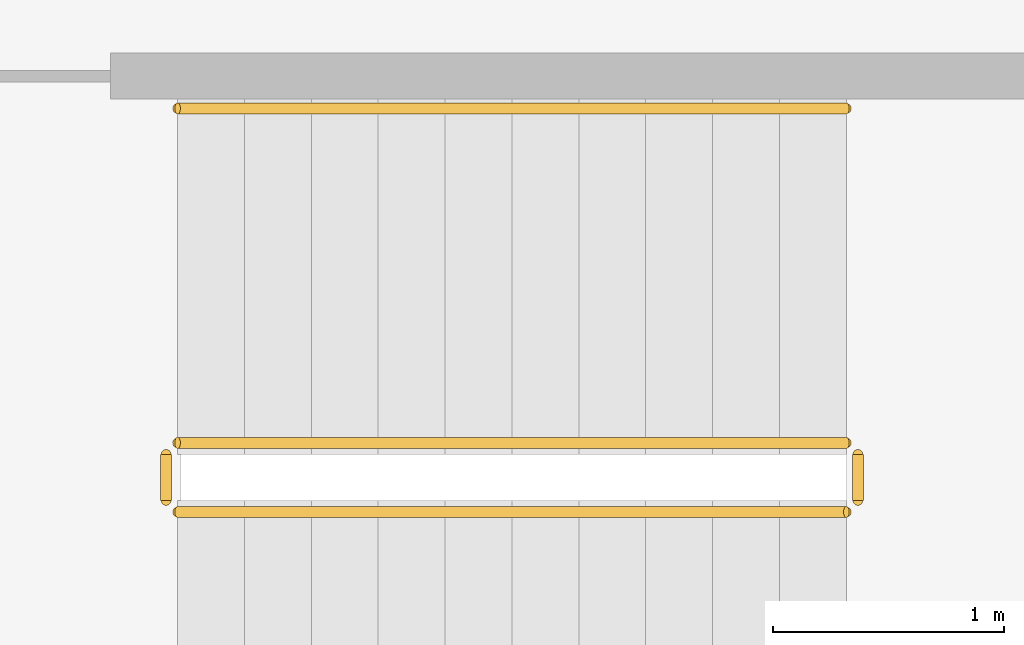
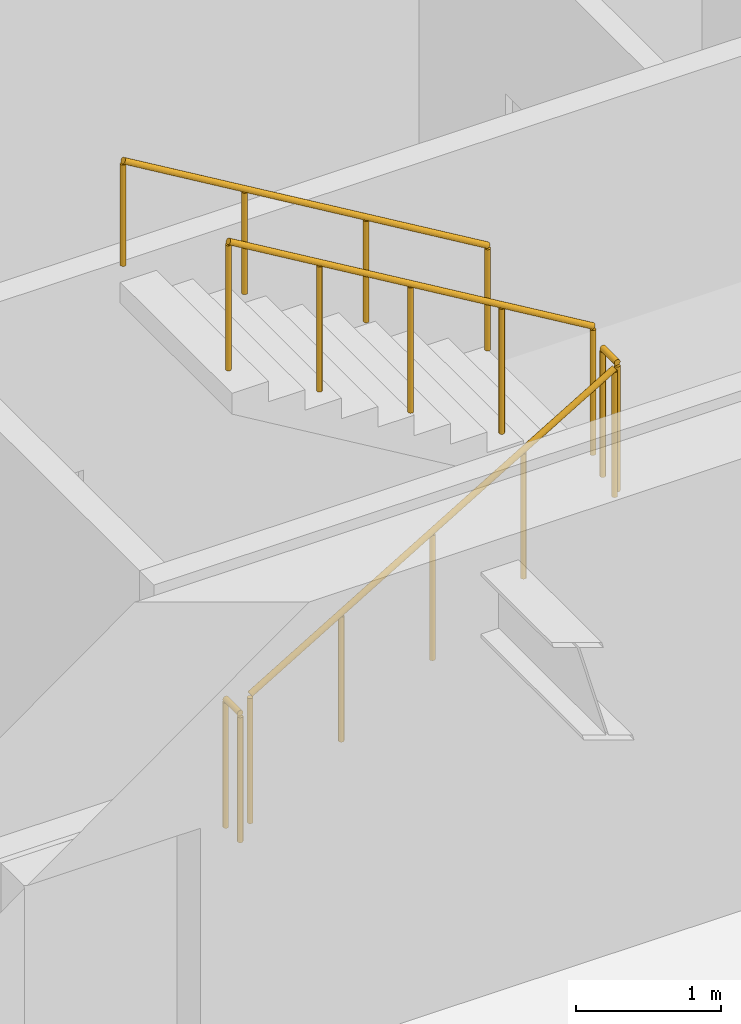
# One storey, part 21 of 22: 5 railings.
"""IFC4 building model written with IfcOpenShell, lengths in metres."""

from ifc_helpers import new_model, si_unit, direction, frame, origin, origin_2d, place, context, subcontext, project, spatial, circle, extrude, material, type_object, element, save


model = new_model("IFC4")

# Units and contexts
model_context = context("Model", 3, precision=1e-05, world=origin(), true_north=direction((0.0, 1.0)))
body_context = subcontext(model_context, "Body", "Model", "MODEL_VIEW")
ifc_project = project(units=[si_unit("LENGTHUNIT", "METRE"), si_unit("AREAUNIT", "SQUARE_METRE"), si_unit("VOLUMEUNIT", "CUBIC_METRE"), si_unit("PLANEANGLEUNIT", "RADIAN"), si_unit("MASSUNIT", "GRAM", prefix="KILO")], contexts=[model_context])

# Site, building, storey
site_placement = place(None, origin())
site = spatial("IfcSite", under=ifc_project, at=site_placement, CompositionType="ELEMENT")
building_placement = place(site_placement, origin())
building = spatial("IfcBuilding", under=site, at=building_placement, Name="Putna Gate Headquarters", CompositionType="ELEMENT")
storey_placement = place(building_placement, frame((0.0, 0.0, 159.39990234375)))
storey = spatial("IfcBuildingStorey", under=building, at=storey_placement, Name="L39", CompositionType="ELEMENT", Elevation=159.39990234375)

# Railings
ifc_material_1 = material(Name="Powder-coated steel stair guardrail", Category="steel")
railing_type_1 = type_object("IfcRailingType", Name="RAIL-STAIR-GUARD-1100", PredefinedType="GUARDRAIL", material=ifc_material_1)
railing_1_placement = place(storey_placement, frame((57.89990234375, 21.10009765625, 0.1728515625)))
element("IfcRailing", 1, at=railing_1_placement, inside=storey, type_object=railing_type_1, Name="L39 ST2 stair guard 1", PredefinedType="GUARDRAIL", context=body_context, shape_type="SweptSolid", body=[
    extrude(circle(Radius=0.02392578125, at=origin_2d()), frame((0.0, 0.0, 1.076171875), z_axis=(0.859160404282, 0.0, 0.51170636083), x_axis=(0.0, 1.0, 0.0)), (0.0, 0.0, 1.0), 3.37548828125),
    extrude(circle(Radius=0.02099609375, at=origin_2d()), origin(), (0.0, 0.0, 1.0), 1.052001953125),
    extrude(circle(Radius=0.02099609375, at=origin_2d()), frame((0.72509765625, 0.0, 0.431884765625)), (0.0, 0.0, 1.0), 1.052001953125),
    extrude(circle(Radius=0.02099609375, at=origin_2d()), frame((1.4501953125, 0.0, 0.86376953125)), (0.0, 0.0, 1.0), 1.052001953125),
    extrude(circle(Radius=0.02099609375, at=origin_2d()), frame((2.175048828125, 0.0, 1.29541015625)), (0.0, 0.0, 1.0), 1.052001953125),
    extrude(circle(Radius=0.02099609375, at=origin_2d()), frame((2.900146484375, 0.0, 1.727294921875)), (0.0, 0.0, 1.0), 1.052001953125),
])
railing_2_placement = place(storey_placement, frame((60.85009765625, 21.14990234375, 1.900146484375)))
element("IfcRailing", 2, at=railing_2_placement, inside=storey, type_object=railing_type_1, Name="L39 ST2 stair guard 2", PredefinedType="GUARDRAIL", context=body_context, shape_type="SweptSolid", body=[
    extrude(circle(Radius=0.02392578125, at=origin_2d()), frame((0.0, 0.0, 1.076171875), z_axis=(0.0, 1.0, 0.0), x_axis=(-1.0, 0.0, 0.0)), (0.0, 0.0, 1.0), 0.2001953125),
    extrude(circle(Radius=0.02099609375, at=origin_2d()), origin(), (0.0, 0.0, 1.0), 1.052001953125),
    extrude(circle(Radius=0.02099609375, at=origin_2d()), frame((0.0, 0.2001953125, 0.0)), (0.0, 0.0, 1.0), 1.052001953125),
])
railing_3_placement = place(storey_placement, frame((60.800048828125, 21.39990234375, 2.07275390625)))
element("IfcRailing", 3, at=railing_3_placement, inside=storey, type_object=railing_type_1, Name="L39 ST2 stair guard 3", PredefinedType="GUARDRAIL", context=body_context, shape_type="SweptSolid", body=[
    extrude(circle(Radius=0.02392578125, at=origin_2d()), frame((0.0, 0.0, 1.076171875), z_axis=(-0.859160404282, 0.0, 0.51170636083), x_axis=(0.0, -1.0, 0.0)), (0.0, 0.0, 1.0), 3.37548828125),
    extrude(circle(Radius=0.02099609375, at=origin_2d()), origin(), (0.0, 0.0, 1.0), 1.052001953125),
    extrude(circle(Radius=0.02099609375, at=origin_2d()), frame((-0.72509765625, 0.0, 0.431884765625)), (0.0, 0.0, 1.0), 1.052001953125),
    extrude(circle(Radius=0.02099609375, at=origin_2d()), frame((-1.4501953125, 0.0, 0.86376953125)), (0.0, 0.0, 1.0), 1.052001953125),
    extrude(circle(Radius=0.02099609375, at=origin_2d()), frame((-2.175048828125, 0.0, 1.29541015625)), (0.0, 0.0, 1.0), 1.052001953125),
    extrude(circle(Radius=0.02099609375, at=origin_2d()), frame((-2.900146484375, 0.0, 1.727294921875)), (0.0, 0.0, 1.0), 1.052001953125),
])
railing_4_placement = place(storey_placement, frame((57.85009765625, 21.14990234375, 0.0)))
element("IfcRailing", 4, at=railing_4_placement, inside=storey, type_object=railing_type_1, Name="L39 ST2 stair guard 4", PredefinedType="GUARDRAIL", context=body_context, shape_type="SweptSolid", body=[
    extrude(circle(Radius=0.02392578125, at=origin_2d()), frame((0.0, 0.0, 1.076171875), z_axis=(0.0, 1.0, 0.0), x_axis=(-1.0, 0.0, 0.0)), (0.0, 0.0, 1.0), 0.2001953125),
    extrude(circle(Radius=0.02099609375, at=origin_2d()), origin(), (0.0, 0.0, 1.0), 1.052001953125),
    extrude(circle(Radius=0.02099609375, at=origin_2d()), frame((0.0, 0.2001953125, 0.0)), (0.0, 0.0, 1.0), 1.052001953125),
])
ifc_material_2 = material(Name="Brushed stainless steel handrail", Category="steel")
railing_type_2 = type_object("IfcRailingType", Name="RAIL-STAIR-HAND-900", PredefinedType="HANDRAIL", material=ifc_material_2)
railing_5_placement = place(storey_placement, frame((60.800048828125, 22.85009765625, 2.07275390625)))
element("IfcRailing", 5, at=railing_5_placement, inside=storey, type_object=railing_type_2, Name="L39 ST2 stair handrail 2", PredefinedType="HANDRAIL", context=body_context, shape_type="SweptSolid", body=[
    extrude(circle(Radius=0.02392578125, at=origin_2d()), frame((0.0, 0.0, 0.8759765625), z_axis=(-0.859160404282, 0.0, 0.51170636083), x_axis=(0.0, -1.0, 0.0)), (0.0, 0.0, 1.0), 3.37548828125),
    extrude(circle(Radius=0.02099609375, at=origin_2d()), origin(), (0.0, 0.0, 1.0), 0.851806640625),
    extrude(circle(Radius=0.02099609375, at=origin_2d()), frame((-0.966796875, 0.0, 0.57568359375)), (0.0, 0.0, 1.0), 0.851806640625),
    extrude(circle(Radius=0.02099609375, at=origin_2d()), frame((-1.933349609375, 0.0, 1.151611328125)), (0.0, 0.0, 1.0), 0.851806640625),
    extrude(circle(Radius=0.02099609375, at=origin_2d()), frame((-2.900146484375, 0.0, 1.727294921875)), (0.0, 0.0, 1.0), 0.851806640625),
])

save(model, "model.ifc")
